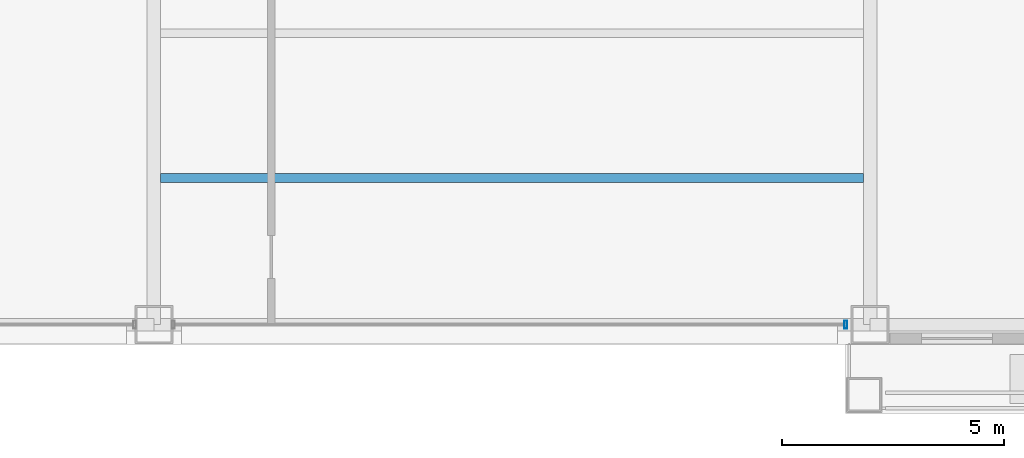
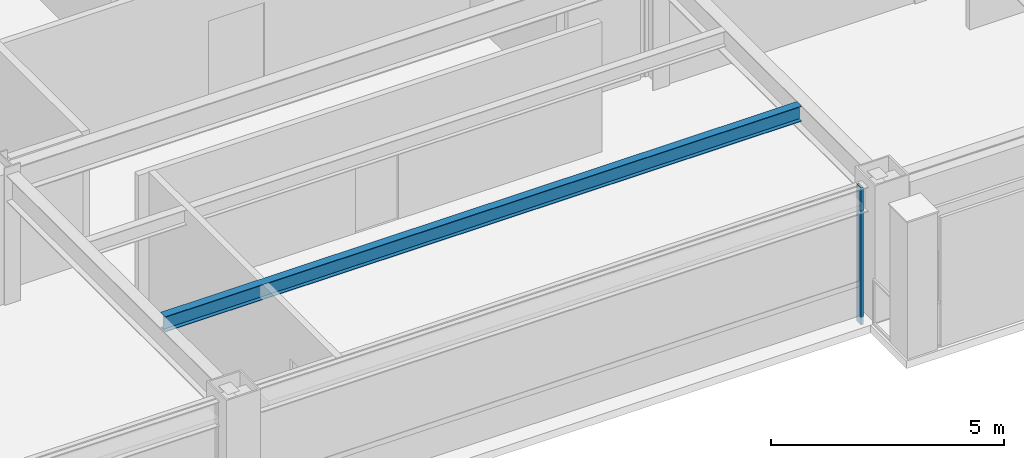
# One storey, part 7 of 31: 1 beam, 1 member, 1 element without a shape of its own.
"""IFC4 building model written with IfcOpenShell, lengths in metres."""

from ifc_helpers import new_model, si_unit, direction, frame, origin, origin_2d, place, context, subcontext, project, spatial, hollow_rectangle, i_section, extrude, material, layer, layer_set, material_profile, profile_set, type_object, element, aggregate, save


model = new_model("IFC4")

# Units and contexts
model_context = context("Model", 3, precision=1e-05, world=origin(), true_north=direction((0.0, 1.0)))
body_context = subcontext(model_context, "Body", "Model", "MODEL_VIEW")
ifc_project = project(units=[si_unit("LENGTHUNIT", "METRE"), si_unit("AREAUNIT", "SQUARE_METRE"), si_unit("VOLUMEUNIT", "CUBIC_METRE"), si_unit("PLANEANGLEUNIT", "RADIAN"), si_unit("MASSUNIT", "GRAM", prefix="KILO")], contexts=[model_context])

# Site, building, storey
site_placement = place(None, origin())
site = spatial("IfcSite", under=ifc_project, at=site_placement, CompositionType="ELEMENT")
building_placement = place(site_placement, origin())
building = spatial("IfcBuilding", under=site, at=building_placement, Name="Brelmoor Portico Tower", CompositionType="ELEMENT")
storey_placement = place(building_placement, frame((0.0, 0.0, 106.199951171875)))
storey = spatial("IfcBuildingStorey", under=building, at=storey_placement, Name="L27", CompositionType="ELEMENT", Elevation=106.199951171875)

# Beam
ifc_material_1 = material(Name="Steel Q355B", Category="steel")
ifc_material_profile_1 = material_profile(ifc_material_1, i_section(OverallWidth=0.199951171875, OverallDepth=0.39990234375, WebThickness=0.008056640625, FlangeThickness=0.012939453125, at=origin_2d()), Name="HN 400x200x8x13")
ifc_profile_set_1 = profile_set([ifc_material_profile_1], Name="Steel Q355B")
beam_type = type_object("IfcBeamType", Name="BM-JS-400", PredefinedType="JOIST", material=ifc_profile_set_1)
beam_placement = place(storey_placement, frame((-7.89990234375, -16.25, 3.199951171875), z_axis=(1.0, 0.0, 0.0), x_axis=(0.0, 1.0, 0.0)))
element("IfcBeam", 1, at=beam_placement, inside=storey, type_object=beam_type, Name="L27 Secondary Composite Joist JS-C01", PredefinedType="JOIST", context=body_context, shape_type="SweptSolid", body=[
    extrude(i_section(OverallWidth=0.199951171875, OverallDepth=0.39990234375, WebThickness=0.008056640625, FlangeThickness=0.012939453125, at=origin_2d()), origin(), (0.0, 0.0, 1.0), 15.7998046875),
])

# Curtain wall, member
ifc_material_2 = material(Name="Anodised Aluminium Alloy 6063-T6", Category="aluminium")
ifc_layer = layer(ifc_material_2, 0.179931640625)
ifc_layer_set = layer_set([ifc_layer], Name="Anodised Aluminium Alloy 6063-T6")
curtain_wall_type = type_object("IfcCurtainWallType", Name="CW-TOWER-Z2", PredefinedType="NOTDEFINED", material=ifc_layer_set)
curtain_wall_placement = place(storey_placement, origin())
curtain_wall = element("IfcCurtainWall", 2, at=curtain_wall_placement, inside=storey, type_object=curtain_wall_type, Name="L27 Curtain Wall CW-L27-1L-3", PredefinedType="NOTDEFINED")
ifc_material_profile_2 = material_profile(ifc_material_2, hollow_rectangle(XDim=0.06494140625, YDim=0.179931640625, WallThickness=0.00390625, at=origin_2d()), Name="ALU MULLION 65x180")
ifc_profile_set_2 = profile_set([ifc_material_profile_2], Name="Anodised Aluminium Alloy 6063-T6")
member_type = type_object("IfcMemberType", Name="MB-CW-MULL-180", PredefinedType="MULLION", material=ifc_profile_set_2)
member_placement = place(storey_placement, frame((7.5, -19.550048828125, -0.199951171875), z_axis=(0.0, 0.0, 1.0), x_axis=(1.0, 0.0, 0.0)))
member = element("IfcMember", 3, at=member_placement, type_object=member_type, Name="CW-L27-1L-3 Mullion 01", PredefinedType="MULLION", context=body_context, shape_type="SweptSolid", body=[
    extrude(hollow_rectangle(XDim=0.06494140625, YDim=0.179931640625, WallThickness=0.00390625, at=origin_2d()), origin(), (0.0, 0.0, 1.0), 3.60009765625),
])
aggregate(curtain_wall, [member])

save(model, "model.ifc")
